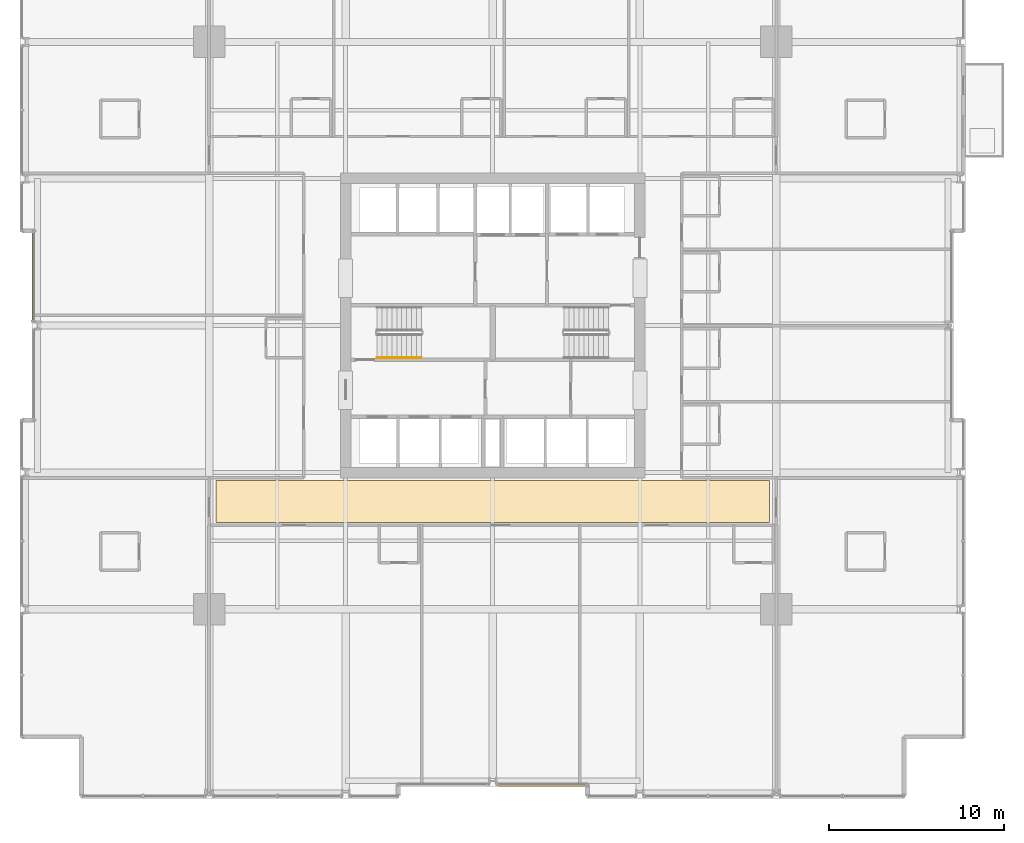
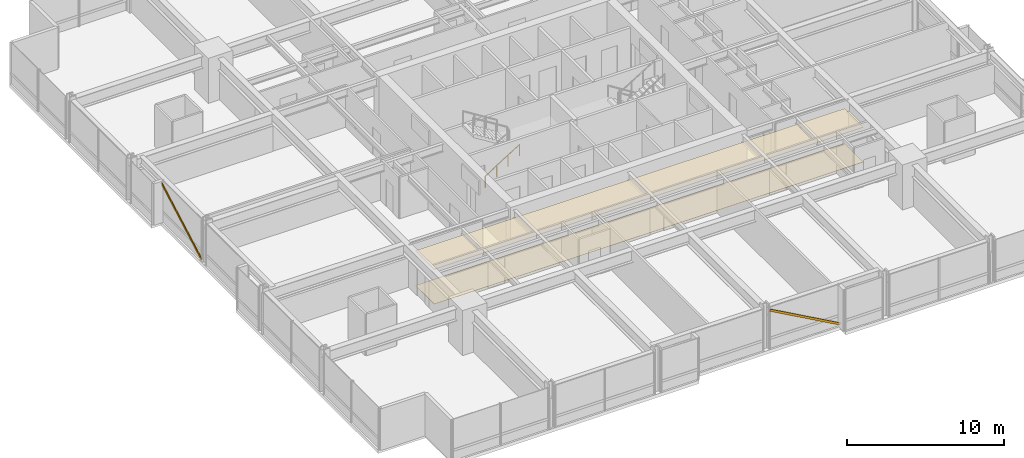
# One storey, part 35 of 37: 2 coverings, 2 shading devices, 1 railing.
"""IFC4 building model written with IfcOpenShell, lengths in metres."""

from ifc_helpers import new_model, si_unit, direction, frame, origin, origin_2d, place, context, subcontext, project, spatial, polyline, hollow_rectangle, circle, outline, extrude, material, layer, layer_set, material_profile, profile_set, type_object, element, save


model = new_model("IFC4")

# Units and contexts
model_context = context("Model", 3, precision=1e-05, world=origin(), true_north=direction((0.0, 1.0)))
body_context = subcontext(model_context, "Body", "Model", "MODEL_VIEW")
ifc_project = project(units=[si_unit("LENGTHUNIT", "METRE"), si_unit("AREAUNIT", "SQUARE_METRE"), si_unit("VOLUMEUNIT", "CUBIC_METRE"), si_unit("PLANEANGLEUNIT", "RADIAN"), si_unit("MASSUNIT", "GRAM", prefix="KILO")], contexts=[model_context])

# Site, building, storey
site_placement = place(None, origin())
site = spatial("IfcSite", under=ifc_project, at=site_placement, CompositionType="ELEMENT")
building_placement = place(site_placement, origin())
building = spatial("IfcBuilding", under=site, at=building_placement, Name="Drelvath Grand Hotel", CompositionType="ELEMENT")
storey_placement = place(building_placement, frame((0.0, 0.0, 43.699951171875)))
storey = spatial("IfcBuildingStorey", under=building, at=storey_placement, Name="L09", CompositionType="ELEMENT", Elevation=43.699951171875)

# Railing
ifc_material_1 = material(Name="Painted Steel S275", Category="steel")
railing_type = type_object("IfcRailingType", Name="Core Stair Wall Handrail 900", PredefinedType="HANDRAIL", material=ifc_material_1)
railing_placement = place(storey_placement, frame((-6.60009765625, 25.169921875, 0.175048828125)))
element("IfcRailing", 1, at=railing_placement, inside=storey, type_object=railing_type, Name="L09 ST-1 stair handrail 1", PredefinedType="HANDRAIL", context=body_context, shape_type="SweptSolid", body=[
    extrude(circle(Radius=0.02392578125, at=origin_2d()), frame((0.0, 0.0, 0.8759765625), z_axis=(0.848007534815, 0.0, 0.529984170421), x_axis=(0.0, 1.0, 0.0)), (0.0, 0.0, 1.0), 2.9716796875),
    extrude(circle(Radius=0.02099609375, at=origin_2d()), origin(), (0.0, 0.0, 1.0), 0.851806640625),
    extrude(circle(Radius=0.02099609375, at=origin_2d()), frame((0.840087890625, 0.0, 0.52490234375)), (0.0, 0.0, 1.0), 0.851806640625),
    extrude(circle(Radius=0.02099609375, at=origin_2d()), frame((1.679931640625, 0.0, 1.050048828125)), (0.0, 0.0, 1.0), 0.851806640625),
    extrude(circle(Radius=0.02099609375, at=origin_2d()), frame((2.52001953125, 0.0, 1.574951171875)), (0.0, 0.0, 1.0), 0.851806640625),
])

# Shading devices
ifc_material_2 = material(Name="Warm Bronze Anodised Aluminium", Category="aluminium")
ifc_material_profile = material_profile(ifc_material_2, hollow_rectangle(XDim=0.06494140625, YDim=0.159912109375, WallThickness=0.00390625, at=origin_2d()), Name="HSS160X65X4")
ifc_profile_set = profile_set([ifc_material_profile], Name="Warm Bronze Anodised Aluminium")
shading_device_type = type_object("IfcShadingDeviceType", Name="Diagonal Solar Fin Warm Bronze Anodised HSS160X65X4", PredefinedType="USERDEFINED", material=ifc_profile_set)
for number, where, z_axis, x_axis, name in (
    (2, (-26.280029296875, 27.240966796875, 0.179931640625), (0.0, 0.873145760887, 0.487459208801), (-1.0, 0.0, 0.0), "L09 Diagonal Anodised Fin CW02-L09-WM2"),
    (3, (5.39990234375, 0.719970703125, 0.179931640625), (-0.873145760887, 0.0, 0.487459208801), (0.0, -1.0, 0.0), "L09 Diagonal Anodised Fin CW02-L09-SM2"),
):
    element("IfcShadingDevice", number, at=place(storey_placement, frame(where, z_axis=z_axis, x_axis=x_axis)), inside=storey, type_object=shading_device_type, Name=name, ObjectType="FIN", PredefinedType="USERDEFINED", context=body_context, shape_type="SweptSolid", body=[
        extrude(hollow_rectangle(XDim=0.06494140625, YDim=0.159912109375, WallThickness=0.00390625, at=origin_2d()), origin(), (0.0, 0.0, 1.0), 5.908447265625),
    ])

# Coverings
ifc_material_3 = material(Name="Woven Wool Broadloom Carpet")
ifc_layer_1 = layer(ifc_material_3, 0.01806640625)
ifc_layer_set_1 = layer_set([ifc_layer_1], Name="Woven Wool Broadloom Carpet")
covering_type_1 = type_object("IfcCoveringType", Name="Hospitality Broadloom Carpet 18", PredefinedType="FLOORING", material=ifc_layer_set_1)
covering_1_placement = place(storey_placement, origin())
element("IfcCovering", 4, at=covering_1_placement, inside=storey, type_object=covering_type_1, Name="L09 Corridor Broadloom Carpet", PredefinedType="FLOORING", context=body_context, shape_type="SweptSolid", body=[
    extrude(outline(polyline([(15.800048828125, 15.75), (15.800048828125, 18.14990234375), (-15.800048828125, 18.14990234375), (-15.800048828125, 15.75), (15.800048828125, 15.75)])), origin(), (0.0, 0.0, 1.0), 0.01806640625),
])
ifc_material_4 = material(Name="Anodised Aluminium Alloy", Category="aluminium")
ifc_layer_2 = layer(ifc_material_4, 0.0400390625)
ifc_layer_set_2 = layer_set([ifc_layer_2], Name="Anodised Aluminium Alloy")
covering_type_2 = type_object("IfcCoveringType", Name="Perforated Metal Corridor Ceiling 40", PredefinedType="CEILING", material=ifc_layer_set_2)
covering_2_placement = place(storey_placement, frame((0.0, 0.0, 2.68994140625)))
element("IfcCovering", 5, at=covering_2_placement, inside=storey, type_object=covering_type_2, Name="L09 Corridor Acoustic Ceiling", PredefinedType="CEILING", context=body_context, shape_type="SweptSolid", body=[
    extrude(outline(polyline([(15.800048828125, 15.75), (15.800048828125, 18.14990234375), (-15.800048828125, 18.14990234375), (-15.800048828125, 15.75), (15.800048828125, 15.75)])), origin(), (0.0, 0.0, 1.0), 0.0400390625),
])

save(model, "model.ifc")
